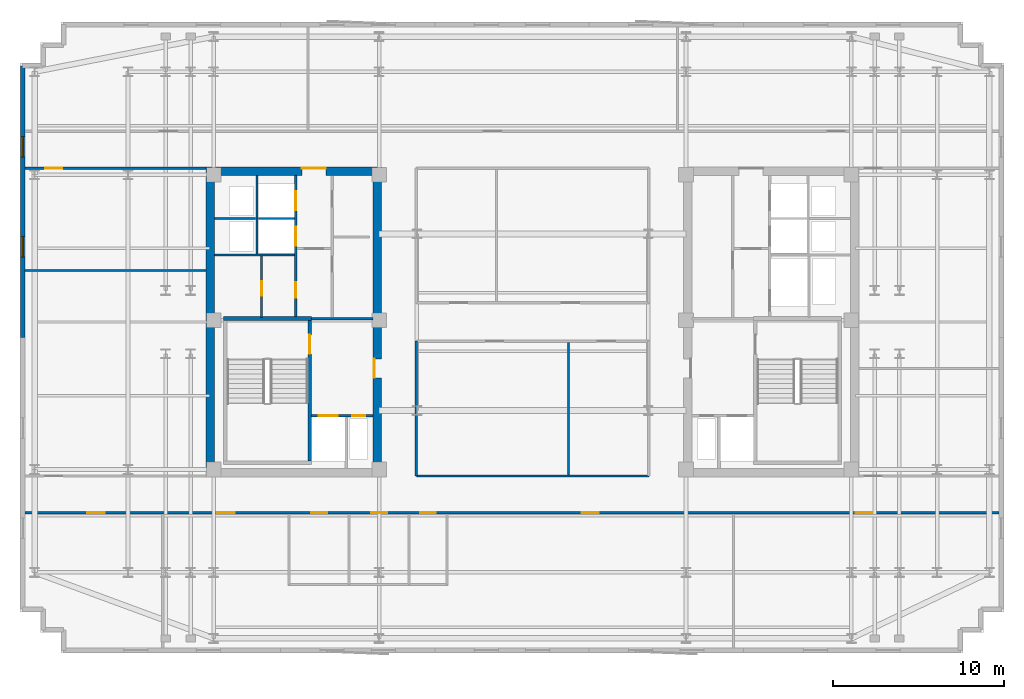
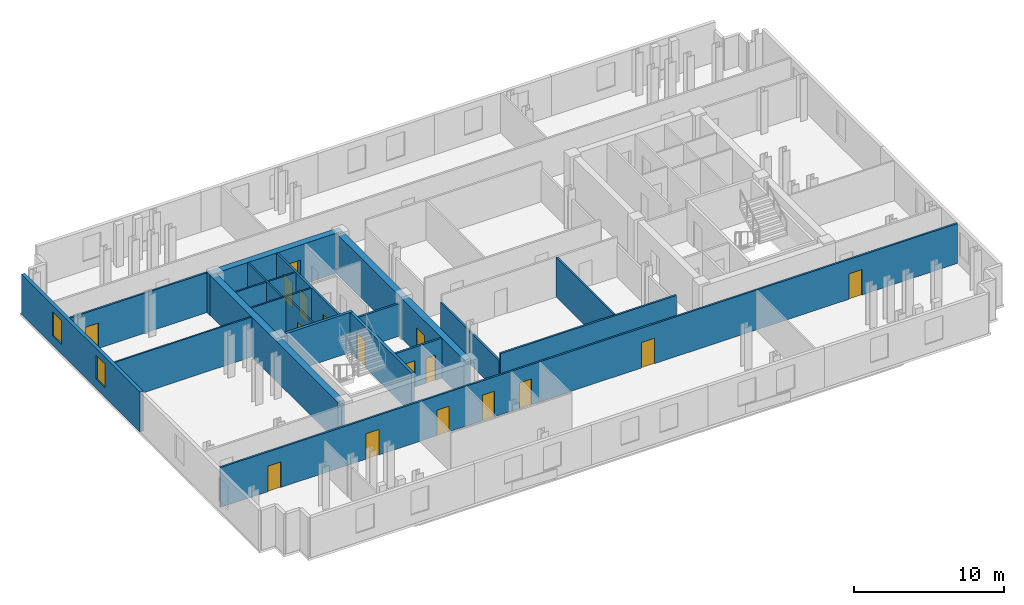
# One storey, part 4 of 9: 20 walls, 17 doors, 2 windows, 19 openings.
"""IFC4 building model written with IfcOpenShell, lengths in metres."""

from ifc_helpers import new_model, si_unit, direction, frame, frame_2d, origin, place, context, subcontext, project, spatial, rectangle, extrude, material, layer, layer_set, type_object, element, fill, save


model = new_model("IFC4")

# Units and contexts
model_context = context("Model", 3, precision=1e-05, world=origin(), true_north=direction((0.0, 1.0)))
body_context = subcontext(model_context, "Body", "Model", "MODEL_VIEW")
ifc_project = project(units=[si_unit("LENGTHUNIT", "METRE"), si_unit("AREAUNIT", "SQUARE_METRE"), si_unit("VOLUMEUNIT", "CUBIC_METRE"), si_unit("PLANEANGLEUNIT", "RADIAN"), si_unit("MASSUNIT", "GRAM", prefix="KILO")], contexts=[model_context])

# Site, building, storey
site_placement = place(None, origin())
site = spatial("IfcSite", under=ifc_project, at=site_placement, CompositionType="ELEMENT")
building_placement = place(site_placement, origin())
building = spatial("IfcBuilding", under=site, at=building_placement, Name="Velakula Bourse", CompositionType="ELEMENT")
storey_placement = place(building_placement, frame((0.0, 0.0, 211.949951171875)))
storey = spatial("IfcBuildingStorey", under=building, at=storey_placement, Name="L57", CompositionType="ELEMENT", Elevation=211.949951171875)

# Wall, opening, door
ifc_material_1 = material(Name="Concrete M50 (fck 50 MPa)", Category="concrete")
ifc_layer_1 = layer(ifc_material_1, 0.2099609375, Name="Concrete M50 (fck 50 MPa)", Category="concrete")
ifc_layer_set_1 = layer_set([ifc_layer_1], Name="Concrete M50 (fck 50 MPa)")
wall_type_1 = type_object("IfcWallType", Name="WL-CORE-210", PredefinedType="SHEAR", material=ifc_layer_set_1)
wall_1_placement = place(storey_placement, frame((-12.9951171875, -8.10009765625, 0.0), z_axis=(0.0, 0.0, 1.0), x_axis=(0.0, 1.0, 0.0)))
wall_1 = element("IfcWall", 1, at=wall_1_placement, inside=storey, type_object=wall_type_1, Name="L57 Core W Stairwell Shear Wall IN", PredefinedType="SHEAR", context=body_context, shape_type="SweptSolid", body=[
    extrude(rectangle(XDim=8.2001953125, YDim=0.2099609375, at=frame_2d((4.10009765625, 0.0))), origin(), (0.0, 0.0, 1.0), 3.27001953125),
])
opening_1_placement = place(wall_1_placement, frame((6.25, 0.0, 0.0)))
opening_1 = element("IfcOpeningElement", 2, at=opening_1_placement, cuts=wall_1, Name="Opening D-STW1", PredefinedType="OPENING", context=body_context, shape_type="SweptSolid", body=[
    extrude(rectangle(XDim=1.10009765625, YDim=2.14990234375, at=frame_2d((0.550048828125, 1.074951171875))), frame((0.0, 0.114990234375, 0.0), z_axis=(0.0, -1.0, 0.0), x_axis=(1.0, 0.0, 0.0)), (0.0, 0.0, 1.0), 0.22998046875),
])
ifc_material_2 = material(Name="Galvanised painted hollow steel fire door", Category="steel")
door_type_1 = type_object("IfcDoorType", Name="DR-FD120-1100x2150", OperationType="NOTDEFINED", PredefinedType="DOOR", material=ifc_material_2)
door_1_placement = place(opening_1_placement, origin())
door_1 = element("IfcDoor", 3, at=door_1_placement, inside=storey, type_object=door_type_1, Name="L57 Stair ST-W1 Fire Door", OperationType="SINGLE_SWING_LEFT", OverallHeight=2.14990234375, OverallWidth=1.10009765625, PredefinedType="DOOR", context=body_context, shape_type="SweptSolid", body=[
    extrude(rectangle(XDim=1.10009765625, YDim=2.14990234375, at=frame_2d((0.550048828125, 1.074951171875))), frame((0.0, 0.02490234375, 0.0), z_axis=(0.0, -1.0, 0.0), x_axis=(1.0, 0.0, 0.0)), (0.0, 0.0, 1.0), 0.050048828125),
])
fill(opening_1, door_1)

# Wall
wall_2_placement = place(storey_placement, frame((-12.889892578125, 0.205078125, 0.0), z_axis=(0.0, 0.0, 1.0), x_axis=(-1.0, 0.0, 0.0)))
element("IfcWall", 4, at=wall_2_placement, inside=storey, type_object=wall_type_1, Name="L57 Core W Stairwell Shear Wall N", PredefinedType="SHEAR", context=body_context, shape_type="SweptSolid", body=[
    extrude(rectangle(XDim=5.14013671875, YDim=0.2099609375, at=frame_2d((2.570068359375, 0.0))), origin(), (0.0, 0.0, 1.0), 3.27001953125),
])

# Wall, opening, door
ifc_layer_2 = layer(ifc_material_1, 0.5, Name="Concrete M50 (fck 50 MPa)", Category="concrete")
ifc_layer_set_2 = layer_set([ifc_layer_2], Name="Concrete M50 (fck 50 MPa)")
wall_type_2 = type_object("IfcWallType", Name="WL-CORE-500", PredefinedType="SHEAR", material=ifc_layer_set_2)
wall_3_placement = place(storey_placement, frame((-19.050048828125, 8.800048828125, 0.0), z_axis=(0.0, 0.0, 1.0), x_axis=(1.0, 0.0, 0.0)))
wall_3 = element("IfcWall", 5, at=wall_3_placement, inside=storey, type_object=wall_type_2, Name="L57 Core W Shear Wall N", PredefinedType="SHEAR", context=body_context, shape_type="SweptSolid", body=[
    extrude(rectangle(XDim=10.25, YDim=0.5, at=frame_2d((5.125, 0.0))), origin(), (0.0, 0.0, 1.0), 3.27001953125),
])
opening_2_placement = place(wall_3_placement, frame((5.60009765625, 0.0, 0.0)))
opening_2 = element("IfcOpeningElement", 6, at=opening_2_placement, cuts=wall_3, Name="Opening D-LLW", PredefinedType="OPENING", context=body_context, shape_type="SweptSolid", body=[
    extrude(rectangle(XDim=1.39990234375, YDim=2.050048828125, at=frame_2d((0.699951171875, 1.02490234375))), frame((0.0, 0.260009765625, 0.0), z_axis=(0.0, -1.0, 0.0), x_axis=(1.0, 0.0, 0.0)), (0.0, 0.0, 1.0), 0.52001953125),
])
ifc_material_3 = material(Name="Fire-rated hardwood flush architectural door", Category="wood")
door_type_2 = type_object("IfcDoorType", Name="DR-DBL-FD60-1400", OperationType="DOUBLE_DOOR_SINGLE_SWING", PredefinedType="DOOR", material=ifc_material_3)
door_2_placement = place(opening_2_placement, origin())
door_2 = element("IfcDoor", 7, at=door_2_placement, inside=storey, type_object=door_type_2, Name="L57 Core W Lift Lobby Corridor Double Door", OperationType="DOUBLE_DOOR_SINGLE_SWING", OverallHeight=2.050048828125, OverallWidth=1.39990234375, PredefinedType="DOOR", context=body_context, shape_type="SweptSolid", body=[
    extrude(rectangle(XDim=1.39990234375, YDim=2.050048828125, at=frame_2d((0.699951171875, 1.02490234375))), frame((0.0, 0.19482421875, 0.0), z_axis=(0.0, -1.0, 0.0), x_axis=(1.0, 0.0, 0.0)), (0.0, 0.0, 1.0), 0.050048828125),
])
fill(opening_2, door_2)

# Wall
wall_4_placement = place(storey_placement, frame((-18.800048828125, -8.550048828125, 0.0), z_axis=(0.0, 0.0, 1.0), x_axis=(0.0, 1.0, 0.0)))
element("IfcWall", 8, at=wall_4_placement, inside=storey, type_object=wall_type_2, Name="L57 Core W Shear Wall W", PredefinedType="SHEAR", context=body_context, shape_type="SweptSolid", body=[
    extrude(rectangle(XDim=17.10009765625, YDim=0.5, at=frame_2d((8.550048828125, 0.0))), origin(), (0.0, 0.0, 1.0), 3.27001953125),
])

# Wall, opening, door
wall_5_placement = place(storey_placement, frame((-9.050048828125, -8.550048828125, 0.0), z_axis=(0.0, 0.0, 1.0), x_axis=(0.0, 1.0, 0.0)))
wall_5 = element("IfcWall", 9, at=wall_5_placement, inside=storey, type_object=wall_type_2, Name="L57 Core W Shear Wall E", PredefinedType="SHEAR", context=body_context, shape_type="SweptSolid", body=[
    extrude(rectangle(XDim=17.10009765625, YDim=0.5, at=frame_2d((8.550048828125, 0.0))), origin(), (0.0, 0.0, 1.0), 3.27001953125),
])
opening_3_placement = place(wall_5_placement, frame((5.300048828125, 0.0, 0.0)))
opening_3 = element("IfcOpeningElement", 10, at=opening_3_placement, cuts=wall_5, Name="Opening D-FLW", PredefinedType="OPENING", context=body_context, shape_type="SweptSolid", body=[
    extrude(rectangle(XDim=1.10009765625, YDim=2.080078125, at=frame_2d((0.550048828125, 1.0400390625))), frame((0.0, 0.260009765625, 0.0), z_axis=(0.0, -1.0, 0.0), x_axis=(1.0, 0.0, 0.0)), (0.0, 0.0, 1.0), 0.52001953125),
])
door_type_3 = type_object("IfcDoorType", Name="DR-FD120-1100", OperationType="NOTDEFINED", PredefinedType="DOOR", material=ifc_material_2)
door_3_placement = place(opening_3_placement, origin())
door_3 = element("IfcDoor", 11, at=door_3_placement, inside=storey, type_object=door_type_3, Name="L57 Firefighting Lobby W Corridor Fire Door", OperationType="SINGLE_SWING_LEFT", OverallHeight=2.080078125, OverallWidth=1.10009765625, PredefinedType="DOOR", context=body_context, shape_type="SweptSolid", body=[
    extrude(rectangle(XDim=1.10009765625, YDim=2.080078125, at=frame_2d((0.550048828125, 1.0400390625))), frame((0.0, 0.205078125, 0.0), z_axis=(0.0, -1.0, 0.0), x_axis=(1.0, 0.0, 0.0)), (0.0, 0.0, 1.0), 0.050048828125),
])
fill(opening_3, door_3)

# Wall, openings, windows
ifc_material_4 = material(Name="Buff kilned clay facing brick masonry", Category="masonry")
ifc_layer_3 = layer(ifc_material_4, 0.260009765625, Name="Buff kilned clay facing brick masonry", Category="masonry")
ifc_layer_set_3 = layer_set([ifc_layer_3], Name="Buff kilned clay facing brick masonry")
wall_type_3 = type_object("IfcWallType", Name="WL-EXT-BRK-260", PredefinedType="STANDARD", material=ifc_layer_set_3)
wall_6_placement = place(storey_placement, frame((-29.75, -0.89990234375, 0.0), z_axis=(0.0, 0.0, 1.0), x_axis=(0.0, 1.0, 0.0)))
wall_6 = element("IfcWall", 12, at=wall_6_placement, inside=storey, type_object=wall_type_3, Name="L57 W Brick End Wall W2", PredefinedType="STANDARD", context=body_context, shape_type="SweptSolid", body=[
    extrude(rectangle(XDim=15.849853515625, YDim=0.260009765625, at=frame_2d((7.9248046875, 0.0))), origin(), (0.0, 0.0, 1.0), 3.25),
])
opening_4_placement = place(wall_6_placement, frame((4.683349609375, 0.0, 0.760009765625)))
opening_4 = element("IfcOpeningElement", 13, at=opening_4_placement, cuts=wall_6, Name="Opening W-04", PredefinedType="OPENING", context=body_context, shape_type="SweptSolid", body=[
    extrude(rectangle(XDim=1.199951171875, YDim=1.949951171875, at=frame_2d((0.60009765625, 0.97509765625))), frame((0.0, 0.139892578125, 0.0), z_axis=(0.0, -1.0, 0.0), x_axis=(1.0, 0.0, 0.0)), (0.0, 0.0, 1.0), 0.280029296875),
])
opening_5_placement = place(wall_6_placement, frame((10.5166015625, 0.0, 0.760009765625)))
opening_5 = element("IfcOpeningElement", 14, at=opening_5_placement, cuts=wall_6, Name="Opening W-04", PredefinedType="OPENING", context=body_context, shape_type="SweptSolid", body=[
    extrude(rectangle(XDim=1.199951171875, YDim=1.949951171875, at=frame_2d((0.60009765625, 0.97509765625))), frame((0.0, 0.139892578125, 0.0), z_axis=(0.0, -1.0, 0.0), x_axis=(1.0, 0.0, 0.0)), (0.0, 0.0, 1.0), 0.280029296875),
])
ifc_material_5 = material(Name="Double-glazed solar-control Low-E glass", Category="glass")
window_type = type_object("IfcWindowType", Name="WIN-TWR-1200x2100", PartitioningType="SINGLE_PANEL", PredefinedType="WINDOW", material=ifc_material_5)
window_1_placement = place(opening_4_placement, origin())
window_1 = element("IfcWindow", 15, at=window_1_placement, inside=storey, type_object=window_type, Name="L57 Deep-Set Recessed Window 1", OverallHeight=1.949951171875, OverallWidth=1.199951171875, PartitioningType="SINGLE_PANEL", PredefinedType="WINDOW", context=body_context, shape_type="SweptSolid", body=[
    extrude(rectangle(XDim=1.199951171875, YDim=1.949951171875, at=frame_2d((0.60009765625, 0.97509765625))), frame((0.0, 0.030029296875, 0.0), z_axis=(0.0, -1.0, 0.0), x_axis=(1.0, 0.0, 0.0)), (0.0, 0.0, 1.0), 0.06005859375),
])
fill(opening_4, window_1)
window_2_placement = place(opening_5_placement, origin())
window_2 = element("IfcWindow", 16, at=window_2_placement, inside=storey, type_object=window_type, Name="L57 Deep-Set Recessed Window 2", OverallHeight=1.949951171875, OverallWidth=1.199951171875, PartitioningType="SINGLE_PANEL", PredefinedType="WINDOW", context=body_context, shape_type="SweptSolid", body=[
    extrude(rectangle(XDim=1.199951171875, YDim=1.949951171875, at=frame_2d((0.60009765625, 0.97509765625))), frame((0.0, 0.030029296875, 0.0), z_axis=(0.0, -1.0, 0.0), x_axis=(1.0, 0.0, 0.0)), (0.0, 0.0, 1.0), 0.06005859375),
])
fill(opening_5, window_2)

# Walls
ifc_material_6 = material(Name="Fire-rated double-layer gypsum drywall partition", Category="gypsum")
ifc_layer_4 = layer(ifc_material_6, 0.1201171875, Name="Fire-rated double-layer gypsum drywall partition", Category="gypsum")
ifc_layer_set_4 = layer_set([ifc_layer_4], Name="Fire-rated double-layer gypsum drywall partition")
wall_type_4 = type_object("IfcWallType", Name="WL-PART-120", PredefinedType="STANDARD", material=ifc_layer_set_4)
wall_7_placement = place(storey_placement, frame((-18.550048828125, 3.919921875, 0.0), z_axis=(0.0, 0.0, 1.0), x_axis=(1.0, 0.0, 0.0)))
element("IfcWall", 17, at=wall_7_placement, inside=storey, type_object=wall_type_4, Name="L57 Interior Partition WL-CRW-L57-HI-S", PredefinedType="STANDARD", context=body_context, shape_type="SweptSolid", body=[
    extrude(rectangle(XDim=4.650146484375, YDim=0.1201171875, at=frame_2d((2.3251953125, 0.0))), origin(), (0.0, 0.0, 1.0), 3.25),
])
wall_8_placement = place(storey_placement, frame((-18.550048828125, 6.030029296875, 0.0), z_axis=(0.0, 0.0, 1.0), x_axis=(1.0, 0.0, 0.0)))
element("IfcWall", 18, at=wall_8_placement, inside=storey, type_object=wall_type_4, Name="L57 Interior Partition WL-CRW-L57-RIS-MID", PredefinedType="STANDARD", context=body_context, shape_type="SweptSolid", body=[
    extrude(rectangle(XDim=2.400146484375, YDim=0.1201171875, at=frame_2d((1.2001953125, 0.0))), origin(), (0.0, 0.0, 1.0), 3.25),
])
wall_9_placement = place(storey_placement, frame((-16.074951171875, 3.97998046875, 0.0), z_axis=(0.0, 0.0, 1.0), x_axis=(0.0, 1.0, 0.0)))
element("IfcWall", 19, at=wall_9_placement, inside=storey, type_object=wall_type_4, Name="L57 Interior Partition WL-CRW-L57-RIS-F", PredefinedType="STANDARD", context=body_context, shape_type="SweptSolid", body=[
    extrude(rectangle(XDim=4.570068359375, YDim=0.1201171875, at=frame_2d((2.28515625, 0.0))), origin(), (0.0, 0.0, 1.0), 3.25),
])
wall_10_placement = place(storey_placement, frame((-16.0, 6.030029296875, 0.0), z_axis=(0.0, 0.0, 1.0), x_axis=(1.0, 0.0, 0.0)))
element("IfcWall", 20, at=wall_10_placement, inside=storey, type_object=wall_type_4, Name="L57 Interior Partition WL-CRW-L57-HI-DIV", PredefinedType="STANDARD", context=body_context, shape_type="SweptSolid", body=[
    extrude(rectangle(XDim=2.10009765625, YDim=0.1201171875, at=frame_2d((1.050048828125, 0.0))), origin(), (0.0, 0.0, 1.0), 3.25),
])

# Wall, opening, door
wall_11_placement = place(storey_placement, frame((-15.800048828125, 0.27001953125, 0.0), z_axis=(0.0, 0.0, 1.0), x_axis=(0.0, 1.0, 0.0)))
wall_11 = element("IfcWall", 21, at=wall_11_placement, inside=storey, type_object=wall_type_4, Name="L57 Interior Partition WL-CRW-L57-K2", PredefinedType="STANDARD", context=body_context, shape_type="SweptSolid", body=[
    extrude(rectangle(XDim=3.590087890625, YDim=0.1201171875, at=frame_2d((1.794921875, 0.0))), origin(), (0.0, 0.0, 1.0), 3.25),
])
opening_6_placement = place(wall_11_placement, frame((1.25, 0.0, 0.0)))
opening_6 = element("IfcOpeningElement", 22, at=opening_6_placement, cuts=wall_11, Name="Opening D-CE1", PredefinedType="OPENING", context=body_context, shape_type="SweptSolid", body=[
    extrude(rectangle(XDim=0.85009765625, YDim=2.050048828125, at=frame_2d((0.425048828125, 1.02490234375))), frame((0.0, 0.070068359375, 0.0), z_axis=(0.0, -1.0, 0.0), x_axis=(1.0, 0.0, 0.0)), (0.0, 0.0, 1.0), 0.14013671875),
])
door_type_4 = type_object("IfcDoorType", Name="DR-INT-850", OperationType="NOTDEFINED", PredefinedType="DOOR", material=ifc_material_3)
door_4_placement = place(opening_6_placement, origin())
door_4 = element("IfcDoor", 23, at=door_4_placement, inside=storey, type_object=door_type_4, Name="L57 Core Equipment Store Door", OperationType="SINGLE_SWING_RIGHT", OverallHeight=2.050048828125, OverallWidth=0.85009765625, PredefinedType="DOOR", context=body_context, shape_type="SweptSolid", body=[
    extrude(rectangle(XDim=0.85009765625, YDim=2.050048828125, at=frame_2d((0.425048828125, 1.02490234375))), frame((0.0, 0.02490234375, 0.0), z_axis=(0.0, -1.0, 0.0), x_axis=(1.0, 0.0, 0.0)), (0.0, 0.0, 1.0), 0.050048828125),
])
fill(opening_6, door_4)

# Wall
wall_12_placement = place(storey_placement, frame((-29.6201171875, 3.0, 0.0), z_axis=(0.0, 0.0, 1.0), x_axis=(1.0, 0.0, 0.0)))
element("IfcWall", 24, at=wall_12_placement, inside=storey, type_object=wall_type_4, Name="L57 Interior Partition WL-INT-L57-W-H", PredefinedType="STANDARD", context=body_context, shape_type="SweptSolid", body=[
    extrude(rectangle(XDim=10.570068359375, YDim=0.1201171875, at=frame_2d((5.28515625, 0.0))), origin(), (0.0, 0.0, 1.0), 3.25),
])

# Wall, openings, doors
ifc_layer_5 = layer(ifc_material_6, 0.139892578125, Name="Fire-rated double-layer gypsum drywall partition", Category="gypsum")
ifc_layer_set_5 = layer_set([ifc_layer_5], Name="Fire-rated double-layer gypsum drywall partition")
wall_type_5 = type_object("IfcWallType", Name="WL-PART-140", PredefinedType="STANDARD", material=ifc_layer_set_5)
wall_13_placement = place(storey_placement, frame((-29.6201171875, -11.1201171875, 0.0), z_axis=(0.0, 0.0, 1.0), x_axis=(1.0, 0.0, 0.0)))
wall_13 = element("IfcWall", 25, at=wall_13_placement, inside=storey, type_object=wall_type_5, Name="L57 Interior Partition WL-INT-L57-S-CORR", PredefinedType="STANDARD", context=body_context, shape_type="SweptSolid", body=[
    extrude(rectangle(XDim=56.840087890625, YDim=0.139892578125, at=frame_2d((28.419921875, 0.0))), origin(), (0.0, 0.0, 1.0), 3.25),
])
opening_7_placement = place(wall_13_placement, frame((16.7099609375, 0.0, 0.0)))
opening_7 = element("IfcOpeningElement", 26, at=opening_7_placement, cuts=wall_13, Name="Opening D-WT1", PredefinedType="OPENING", context=body_context, shape_type="SweptSolid", body=[
    extrude(rectangle(XDim=0.919921875, YDim=2.080078125, at=frame_2d((0.4599609375, 1.0400390625))), frame((0.0, 0.079833984375, 0.0), z_axis=(0.0, -1.0, 0.0), x_axis=(1.0, 0.0, 0.0)), (0.0, 0.0, 1.0), 0.159912109375),
])
opening_8_placement = place(wall_13_placement, frame((20.2099609375, 0.0, 0.0)))
opening_8 = element("IfcOpeningElement", 27, at=opening_8_placement, cuts=wall_13, Name="Opening D-WT1", PredefinedType="OPENING", context=body_context, shape_type="SweptSolid", body=[
    extrude(rectangle(XDim=0.919921875, YDim=2.080078125, at=frame_2d((0.4599609375, 1.0400390625))), frame((0.0, 0.079833984375, 0.0), z_axis=(0.0, -1.0, 0.0), x_axis=(1.0, 0.0, 0.0)), (0.0, 0.0, 1.0), 0.159912109375),
])
opening_9_placement = place(wall_13_placement, frame((23.06005859375, 0.0, 0.0)))
opening_9 = element("IfcOpeningElement", 28, at=opening_9_placement, cuts=wall_13, Name="Opening D-WC1", PredefinedType="OPENING", context=body_context, shape_type="SweptSolid", body=[
    extrude(rectangle(XDim=0.919921875, YDim=2.080078125, at=frame_2d((0.4599609375, 1.0400390625))), frame((0.0, 0.079833984375, 0.0), z_axis=(0.0, -1.0, 0.0), x_axis=(1.0, 0.0, 0.0)), (0.0, 0.0, 1.0), 0.159912109375),
])
opening_10_placement = place(wall_13_placement, frame((3.6494140625, 0.0, 0.0)))
opening_10 = element("IfcOpeningElement", 29, at=opening_10_placement, cuts=wall_13, Name="Opening D-OF1", PredefinedType="OPENING", context=body_context, shape_type="SweptSolid", body=[
    extrude(rectangle(XDim=1.0, YDim=2.080078125, at=frame_2d((0.5, 1.0400390625))), frame((0.0, 0.079833984375, 0.0), z_axis=(0.0, -1.0, 0.0), x_axis=(1.0, 0.0, 0.0)), (0.0, 0.0, 1.0), 0.159912109375),
])
opening_11_placement = place(wall_13_placement, frame((11.2333984375, 0.0, 0.0)))
opening_11 = element("IfcOpeningElement", 30, at=opening_11_placement, cuts=wall_13, Name="Opening D-OF1", PredefinedType="OPENING", context=body_context, shape_type="SweptSolid", body=[
    extrude(rectangle(XDim=1.0, YDim=2.080078125, at=frame_2d((0.5, 1.0400390625))), frame((0.0, 0.079833984375, 0.0), z_axis=(0.0, -1.0, 0.0), x_axis=(1.0, 0.0, 0.0)), (0.0, 0.0, 1.0), 0.159912109375),
])
opening_12_placement = place(wall_13_placement, frame((32.4814453125, 0.0, 0.0)))
opening_12 = element("IfcOpeningElement", 31, at=opening_12_placement, cuts=wall_13, Name="Opening D-OF1", PredefinedType="OPENING", context=body_context, shape_type="SweptSolid", body=[
    extrude(rectangle(XDim=1.0, YDim=2.080078125, at=frame_2d((0.5, 1.0400390625))), frame((0.0, 0.079833984375, 0.0), z_axis=(0.0, -1.0, 0.0), x_axis=(1.0, 0.0, 0.0)), (0.0, 0.0, 1.0), 0.159912109375),
])
opening_13_placement = place(wall_13_placement, frame((48.465576171875, 0.0, 0.0)))
opening_13 = element("IfcOpeningElement", 32, at=opening_13_placement, cuts=wall_13, Name="Opening D-OF1", PredefinedType="OPENING", context=body_context, shape_type="SweptSolid", body=[
    extrude(rectangle(XDim=1.0, YDim=2.080078125, at=frame_2d((0.5, 1.0400390625))), frame((0.0, 0.079833984375, 0.0), z_axis=(0.0, -1.0, 0.0), x_axis=(1.0, 0.0, 0.0)), (0.0, 0.0, 1.0), 0.159912109375),
])
door_type_5 = type_object("IfcDoorType", Name="DR-OFF-1000", OperationType="NOTDEFINED", PredefinedType="DOOR", material=ifc_material_3)
door_5_placement = place(opening_10_placement, origin())
door_5 = element("IfcDoor", 33, at=door_5_placement, inside=storey, type_object=door_type_5, Name="L57 Members Dining Lounge Door", OperationType="SINGLE_SWING_LEFT", OverallHeight=2.080078125, OverallWidth=1.0, PredefinedType="DOOR", context=body_context, shape_type="SweptSolid", body=[
    extrude(rectangle(XDim=1.0, YDim=2.080078125, at=frame_2d((0.5, 1.0400390625))), frame((0.0, 0.02490234375, 0.0), z_axis=(0.0, -1.0, 0.0), x_axis=(1.0, 0.0, 0.0)), (0.0, 0.0, 1.0), 0.050048828125),
])
fill(opening_10, door_5)
door_6_placement = place(opening_11_placement, origin())
door_6 = element("IfcDoor", 34, at=door_6_placement, inside=storey, type_object=door_type_5, Name="L57 Primary Dealer Office Door", OperationType="SINGLE_SWING_RIGHT", OverallHeight=2.080078125, OverallWidth=1.0, PredefinedType="DOOR", context=body_context, shape_type="SweptSolid", body=[
    extrude(rectangle(XDim=1.0, YDim=2.080078125, at=frame_2d((0.5, 1.0400390625))), frame((0.0, 0.02490234375, 0.0), z_axis=(0.0, -1.0, 0.0), x_axis=(1.0, 0.0, 0.0)), (0.0, 0.0, 1.0), 0.050048828125),
])
fill(opening_11, door_6)
door_7_placement = place(opening_12_placement, origin())
door_7 = element("IfcDoor", 35, at=door_7_placement, inside=storey, type_object=door_type_5, Name="L57 Disciplinary Hearing Room Door", OperationType="SINGLE_SWING_LEFT", OverallHeight=2.080078125, OverallWidth=1.0, PredefinedType="DOOR", context=body_context, shape_type="SweptSolid", body=[
    extrude(rectangle(XDim=1.0, YDim=2.080078125, at=frame_2d((0.5, 1.0400390625))), frame((0.0, 0.02490234375, 0.0), z_axis=(0.0, -1.0, 0.0), x_axis=(1.0, 0.0, 0.0)), (0.0, 0.0, 1.0), 0.050048828125),
])
fill(opening_12, door_7)
door_8_placement = place(opening_13_placement, origin())
door_8 = element("IfcDoor", 36, at=door_8_placement, inside=storey, type_object=door_type_5, Name="L57 Traders Pantry Door", OperationType="SINGLE_SWING_RIGHT", OverallHeight=2.080078125, OverallWidth=1.0, PredefinedType="DOOR", context=body_context, shape_type="SweptSolid", body=[
    extrude(rectangle(XDim=1.0, YDim=2.080078125, at=frame_2d((0.5, 1.0400390625))), frame((0.0, 0.02490234375, 0.0), z_axis=(0.0, -1.0, 0.0), x_axis=(1.0, 0.0, 0.0)), (0.0, 0.0, 1.0), 0.050048828125),
])
fill(opening_13, door_8)
door_type_6 = type_object("IfcDoorType", Name="DR-WC-950", OperationType="NOTDEFINED", PredefinedType="DOOR", material=ifc_material_3)
door_9_placement = place(opening_7_placement, origin())
door_9 = element("IfcDoor", 37, at=door_9_placement, inside=storey, type_object=door_type_6, Name="L57 Male Staff Toilet Door", OperationType="SINGLE_SWING_RIGHT", OverallHeight=2.080078125, OverallWidth=0.919921875, PredefinedType="DOOR", context=body_context, shape_type="SweptSolid", body=[
    extrude(rectangle(XDim=0.919921875, YDim=2.080078125, at=frame_2d((0.4599609375, 1.0400390625))), frame((0.0, 0.02490234375, 0.0), z_axis=(0.0, -1.0, 0.0), x_axis=(1.0, 0.0, 0.0)), (0.0, 0.0, 1.0), 0.050048828125),
])
fill(opening_7, door_9)
door_10_placement = place(opening_8_placement, origin())
door_10 = element("IfcDoor", 38, at=door_10_placement, inside=storey, type_object=door_type_6, Name="L57 Female Staff Toilet Door", OperationType="SINGLE_SWING_LEFT", OverallHeight=2.080078125, OverallWidth=0.919921875, PredefinedType="DOOR", context=body_context, shape_type="SweptSolid", body=[
    extrude(rectangle(XDim=0.919921875, YDim=2.080078125, at=frame_2d((0.4599609375, 1.0400390625))), frame((0.0, 0.02490234375, 0.0), z_axis=(0.0, -1.0, 0.0), x_axis=(1.0, 0.0, 0.0)), (0.0, 0.0, 1.0), 0.050048828125),
])
fill(opening_8, door_10)
door_11_placement = place(opening_9_placement, origin())
door_11 = element("IfcDoor", 39, at=door_11_placement, inside=storey, type_object=door_type_6, Name="L57 Accessible WC Door", OperationType="SINGLE_SWING_RIGHT", OverallHeight=2.080078125, OverallWidth=0.919921875, PredefinedType="DOOR", context=body_context, shape_type="SweptSolid", body=[
    extrude(rectangle(XDim=0.919921875, YDim=2.080078125, at=frame_2d((0.4599609375, 1.0400390625))), frame((0.0, 0.02490234375, 0.0), z_axis=(0.0, -1.0, 0.0), x_axis=(1.0, 0.0, 0.0)), (0.0, 0.0, 1.0), 0.050048828125),
])
fill(opening_9, door_11)

# Wall, opening, door
wall_14_placement = place(storey_placement, frame((-29.6201171875, 8.97998046875, 0.0), z_axis=(0.0, 0.0, 1.0), x_axis=(1.0, 0.0, 0.0)))
wall_14 = element("IfcWall", 40, at=wall_14_placement, inside=storey, type_object=wall_type_5, Name="L57 Interior Partition WL-INT-L57-W-NC", PredefinedType="STANDARD", context=body_context, shape_type="SweptSolid", body=[
    extrude(rectangle(XDim=10.570068359375, YDim=0.139892578125, at=frame_2d((5.28515625, 0.0))), origin(), (0.0, 0.0, 1.0), 3.25),
])
opening_14_placement = place(wall_14_placement, frame((1.191162109375, 0.0, 0.0)))
opening_14 = element("IfcOpeningElement", 41, at=opening_14_placement, cuts=wall_14, Name="Opening D-OF1", PredefinedType="OPENING", context=body_context, shape_type="SweptSolid", body=[
    extrude(rectangle(XDim=1.0, YDim=2.080078125, at=frame_2d((0.5, 1.0400390625))), frame((0.0, 0.079833984375, 0.0), z_axis=(0.0, -1.0, 0.0), x_axis=(1.0, 0.0, 0.0)), (0.0, 0.0, 1.0), 0.159912109375),
])
door_12_placement = place(opening_14_placement, origin())
door_12 = element("IfcDoor", 42, at=door_12_placement, inside=storey, type_object=door_type_5, Name="L57 Treasury Operations Office Door", OperationType="SINGLE_SWING_LEFT", OverallHeight=2.080078125, OverallWidth=1.0, PredefinedType="DOOR", context=body_context, shape_type="SweptSolid", body=[
    extrude(rectangle(XDim=1.0, YDim=2.080078125, at=frame_2d((0.5, 1.0400390625))), frame((0.0, 0.02490234375, 0.0), z_axis=(0.0, -1.0, 0.0), x_axis=(1.0, 0.0, 0.0)), (0.0, 0.0, 1.0), 0.050048828125),
])
fill(opening_14, door_12)

# Walls
wall_15_placement = place(storey_placement, frame((-6.780029296875, -8.97998046875, 0.0), z_axis=(0.0, 0.0, 1.0), x_axis=(1.0, 0.0, 0.0)))
element("IfcWall", 43, at=wall_15_placement, inside=storey, type_object=wall_type_5, Name="L57 Interior Partition WL-INT-L57-MS-OUT", PredefinedType="STANDARD", context=body_context, shape_type="SweptSolid", body=[
    extrude(rectangle(XDim=13.56005859375, YDim=0.139892578125, at=frame_2d((6.780029296875, 0.0))), origin(), (0.0, 0.0, 1.0), 3.25),
])
wall_16_placement = place(storey_placement, frame((-6.780029296875, -8.97998046875, 0.0), z_axis=(0.0, 0.0, 1.0), x_axis=(0.0, 1.0, 0.0)))
element("IfcWall", 44, at=wall_16_placement, inside=storey, type_object=wall_type_5, Name="L57 Interior Partition WL-INT-L57-MS-W", PredefinedType="STANDARD", context=body_context, shape_type="SweptSolid", body=[
    extrude(rectangle(XDim=7.85986328125, YDim=0.139892578125, at=frame_2d((3.929931640625, 0.0))), origin(), (0.0, 0.0, 1.0), 2.64501953125),
])
wall_17_placement = place(storey_placement, frame((2.10009765625, -8.909912109375, 0.0), z_axis=(0.0, 0.0, 1.0), x_axis=(0.0, 1.0, 0.0)))
element("IfcWall", 45, at=wall_17_placement, inside=storey, type_object=wall_type_5, Name="L57 Interior Partition WL-INT-L57-MS-V1", PredefinedType="STANDARD", context=body_context, shape_type="SweptSolid", body=[
    extrude(rectangle(XDim=7.719970703125, YDim=0.1201171875, at=frame_2d((3.85986328125, 0.0))), origin(), (0.0, 0.0, 1.0), 3.25),
])

# Wall, openings, doors
ifc_material_7 = material(Name="Autoclaved aerated concrete blockwork masonry", Category="masonry")
ifc_layer_6 = layer(ifc_material_7, 0.14990234375, Name="Autoclaved aerated concrete blockwork masonry", Category="masonry")
ifc_layer_set_6 = layer_set([ifc_layer_6], Name="Autoclaved aerated concrete blockwork masonry")
wall_type_6 = type_object("IfcWallType", Name="WL-SHAFT-150", PredefinedType="STANDARD", material=ifc_layer_set_6)
wall_18_placement = place(storey_placement, frame((-12.89501953125, -5.47509765625, 0.0), z_axis=(0.0, 0.0, 1.0), x_axis=(1.0, 0.0, 0.0)))
wall_18 = element("IfcWall", 46, at=wall_18_placement, inside=storey, type_object=wall_type_6, Name="L57 Interior Partition WL-CRW-L57-FFL-N", PredefinedType="STANDARD", context=body_context, shape_type="SweptSolid", body=[
    extrude(rectangle(XDim=3.594970703125, YDim=0.14990234375, at=frame_2d((1.79736328125, 0.0))), origin(), (0.0, 0.0, 1.0), 3.25),
])
opening_15_placement = place(wall_18_placement, frame((0.419921875, 0.0, 0.0)))
opening_15 = element("IfcOpeningElement", 47, at=opening_15_placement, cuts=wall_18, Name="Opening LD-FFL-1", PredefinedType="OPENING", context=body_context, shape_type="SweptSolid", body=[
    extrude(rectangle(XDim=1.10009765625, YDim=2.14990234375, at=frame_2d((0.550048828125, 1.074951171875))), frame((0.0, 0.0849609375, 0.0), z_axis=(0.0, -1.0, 0.0), x_axis=(1.0, 0.0, 0.0)), (0.0, 0.0, 1.0), 0.169921875),
])
opening_16_placement = place(wall_18_placement, frame((2.3701171875, 0.0, 0.0)))
opening_16 = element("IfcOpeningElement", 48, at=opening_16_placement, cuts=wall_18, Name="Opening D-RS1", PredefinedType="OPENING", context=body_context, shape_type="SweptSolid", body=[
    extrude(rectangle(XDim=0.75, YDim=2.050048828125, at=frame_2d((0.375, 1.02490234375))), frame((0.0, 0.0849609375, 0.0), z_axis=(0.0, -1.0, 0.0), x_axis=(1.0, 0.0, 0.0)), (0.0, 0.0, 1.0), 0.169921875),
])
door_type_7 = type_object("IfcDoorType", Name="DR-RISER-800", OperationType="NOTDEFINED", PredefinedType="DOOR", material=ifc_material_2)
door_13_placement = place(opening_16_placement, origin())
door_13 = element("IfcDoor", 49, at=door_13_placement, inside=storey, type_object=door_type_7, Name="L57 Fire Riser Access Door", OperationType="SINGLE_SWING_LEFT", OverallHeight=2.050048828125, OverallWidth=0.75, PredefinedType="DOOR", context=body_context, shape_type="SweptSolid", body=[
    extrude(rectangle(XDim=0.75, YDim=2.050048828125, at=frame_2d((0.375, 1.02490234375))), frame((0.0, 0.02490234375, 0.0), z_axis=(0.0, -1.0, 0.0), x_axis=(1.0, 0.0, 0.0)), (0.0, 0.0, 1.0), 0.050048828125),
])
fill(opening_16, door_13)
ifc_material_8 = material(Name="Brushed grade 316 stainless steel", Category="steel")
door_type_8 = type_object("IfcDoorType", Name="DR-SLIDE-FFL-1100", OperationType="DOUBLE_DOOR_SLIDING", PredefinedType="DOOR", material=ifc_material_8)
door_14_placement = place(opening_15_placement, origin())
door_14 = element("IfcDoor", 50, at=door_14_placement, inside=storey, type_object=door_type_8, Name="L57 Firefighting Lift FFL-1 Sliding Landing Door", OperationType="DOUBLE_DOOR_SLIDING", OverallHeight=2.14990234375, OverallWidth=1.10009765625, PredefinedType="DOOR", context=body_context, shape_type="SweptSolid", body=[
    extrude(rectangle(XDim=1.10009765625, YDim=2.14990234375, at=frame_2d((0.550048828125, 1.074951171875))), frame((0.0, 0.02490234375, 0.0), z_axis=(0.0, -1.0, 0.0), x_axis=(1.0, 0.0, 0.0)), (0.0, 0.0, 1.0), 0.050048828125),
])
fill(opening_15, door_14)

# Wall
wall_19_placement = place(storey_placement, frame((-12.889892578125, 0.18994140625, 0.0), z_axis=(0.0, 0.0, 1.0), x_axis=(1.0, 0.0, 0.0)))
element("IfcWall", 51, at=wall_19_placement, inside=storey, type_object=wall_type_6, Name="L57 Interior Partition WL-CRW-L57-FF-TOP", PredefinedType="STANDARD", context=body_context, shape_type="SweptSolid", body=[
    extrude(rectangle(XDim=3.58984375, YDim=0.14990234375, at=frame_2d((1.794921875, 0.0))), origin(), (0.0, 0.0, 1.0), 2.64501953125),
])

# Wall, openings, doors
wall_20_placement = place(storey_placement, frame((-13.824951171875, 0.27001953125, 0.0), z_axis=(0.0, 0.0, 1.0), x_axis=(0.0, 1.0, 0.0)))
wall_20 = element("IfcWall", 52, at=wall_20_placement, inside=storey, type_object=wall_type_6, Name="L57 Interior Partition WL-CRW-L57-OUT-F", PredefinedType="STANDARD", context=body_context, shape_type="SweptSolid", body=[
    extrude(rectangle(XDim=8.280029296875, YDim=0.14990234375, at=frame_2d((4.14013671875, 0.0))), origin(), (0.0, 0.0, 1.0), 3.25),
])
opening_17_placement = place(wall_20_placement, frame((4.175048828125, 0.0, 0.0)))
opening_17 = element("IfcOpeningElement", 53, at=opening_17_placement, cuts=wall_20, Name="Opening LD-P9", PredefinedType="OPENING", context=body_context, shape_type="SweptSolid", body=[
    extrude(rectangle(XDim=1.10009765625, YDim=2.10009765625, at=frame_2d((0.550048828125, 1.050048828125))), frame((0.0, 0.0849609375, 0.0), z_axis=(0.0, -1.0, 0.0), x_axis=(1.0, 0.0, 0.0)), (0.0, 0.0, 1.0), 0.169921875),
])
opening_18_placement = place(wall_20_placement, frame((6.2451171875, 0.0, 0.0)))
opening_18 = element("IfcOpeningElement", 54, at=opening_18_placement, cuts=wall_20, Name="Opening LD-P10", PredefinedType="OPENING", context=body_context, shape_type="SweptSolid", body=[
    extrude(rectangle(XDim=1.10009765625, YDim=2.10009765625, at=frame_2d((0.550048828125, 1.050048828125))), frame((0.0, 0.0849609375, 0.0), z_axis=(0.0, -1.0, 0.0), x_axis=(1.0, 0.0, 0.0)), (0.0, 0.0, 1.0), 0.169921875),
])
opening_19_placement = place(wall_20_placement, frame((1.14990234375, 0.0, 0.0)))
opening_19 = element("IfcOpeningElement", 55, at=opening_19_placement, cuts=wall_20, Name="Opening D-CP1", PredefinedType="OPENING", context=body_context, shape_type="SweptSolid", body=[
    extrude(rectangle(XDim=0.89990234375, YDim=2.050048828125, at=frame_2d((0.449951171875, 1.02490234375))), frame((0.0, 0.0849609375, 0.0), z_axis=(0.0, -1.0, 0.0), x_axis=(1.0, 0.0, 0.0)), (0.0, 0.0, 1.0), 0.169921875),
])
door_type_9 = type_object("IfcDoorType", Name="DR-INT-900", OperationType="NOTDEFINED", PredefinedType="DOOR", material=ifc_material_3)
door_15_placement = place(opening_19_placement, origin())
door_15 = element("IfcDoor", 56, at=door_15_placement, inside=storey, type_object=door_type_9, Name="L57 Core Tea Pantry Door", OperationType="SINGLE_SWING_RIGHT", OverallHeight=2.050048828125, OverallWidth=0.89990234375, PredefinedType="DOOR", context=body_context, shape_type="SweptSolid", body=[
    extrude(rectangle(XDim=0.89990234375, YDim=2.050048828125, at=frame_2d((0.449951171875, 1.02490234375))), frame((0.0, 0.02490234375, 0.0), z_axis=(0.0, -1.0, 0.0), x_axis=(1.0, 0.0, 0.0)), (0.0, 0.0, 1.0), 0.050048828125),
])
fill(opening_19, door_15)
door_type_10 = type_object("IfcDoorType", Name="DR-SLIDE-LD-1100", OperationType="DOUBLE_DOOR_SLIDING", PredefinedType="DOOR", material=ifc_material_8)
door_16_placement = place(opening_17_placement, origin())
door_16 = element("IfcDoor", 57, at=door_16_placement, inside=storey, type_object=door_type_10, Name="L57 Passenger Lift P9 Sliding Landing Door", OperationType="DOUBLE_DOOR_SLIDING", OverallHeight=2.10009765625, OverallWidth=1.10009765625, PredefinedType="DOOR", context=body_context, shape_type="SweptSolid", body=[
    extrude(rectangle(XDim=1.10009765625, YDim=2.10009765625, at=frame_2d((0.550048828125, 1.050048828125))), frame((0.0, 0.02490234375, 0.0), z_axis=(0.0, -1.0, 0.0), x_axis=(1.0, 0.0, 0.0)), (0.0, 0.0, 1.0), 0.050048828125),
])
fill(opening_17, door_16)
door_17_placement = place(opening_18_placement, origin())
door_17 = element("IfcDoor", 58, at=door_17_placement, inside=storey, type_object=door_type_10, Name="L57 Passenger Lift P10 Sliding Landing Door", OperationType="DOUBLE_DOOR_SLIDING", OverallHeight=2.10009765625, OverallWidth=1.10009765625, PredefinedType="DOOR", context=body_context, shape_type="SweptSolid", body=[
    extrude(rectangle(XDim=1.10009765625, YDim=2.10009765625, at=frame_2d((0.550048828125, 1.050048828125))), frame((0.0, 0.02490234375, 0.0), z_axis=(0.0, -1.0, 0.0), x_axis=(1.0, 0.0, 0.0)), (0.0, 0.0, 1.0), 0.050048828125),
])
fill(opening_18, door_17)

save(model, "model.ifc")
